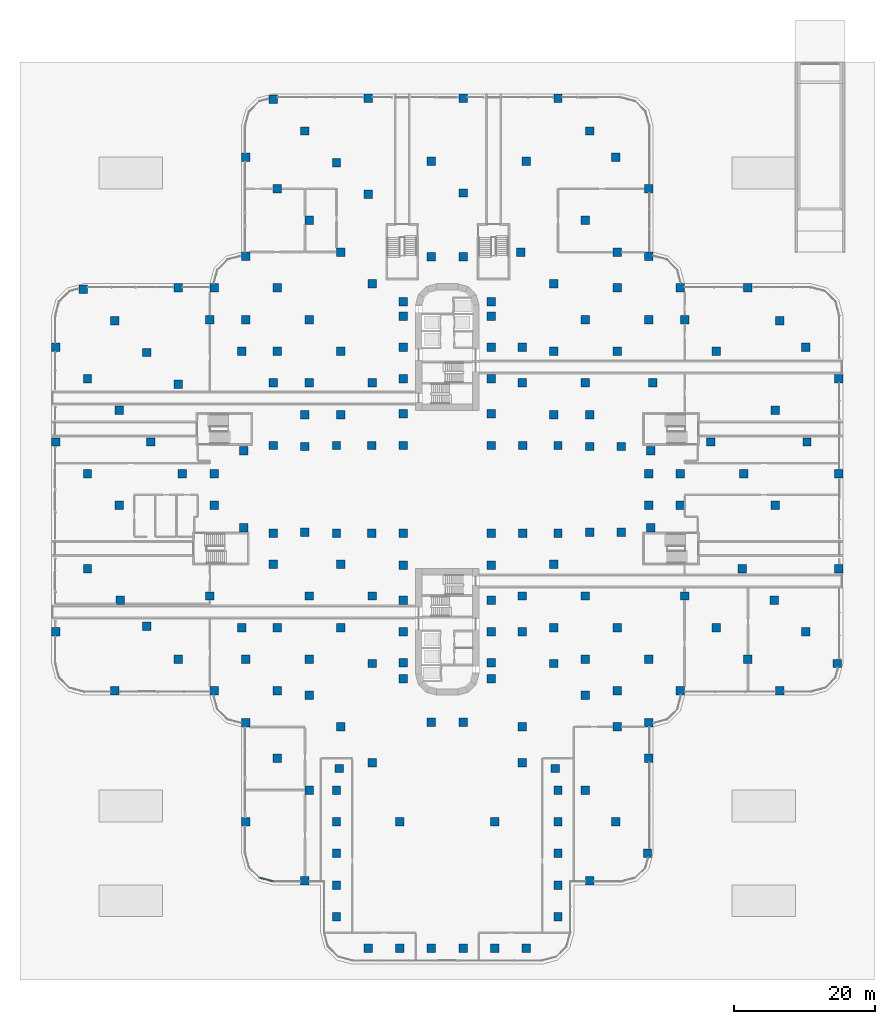
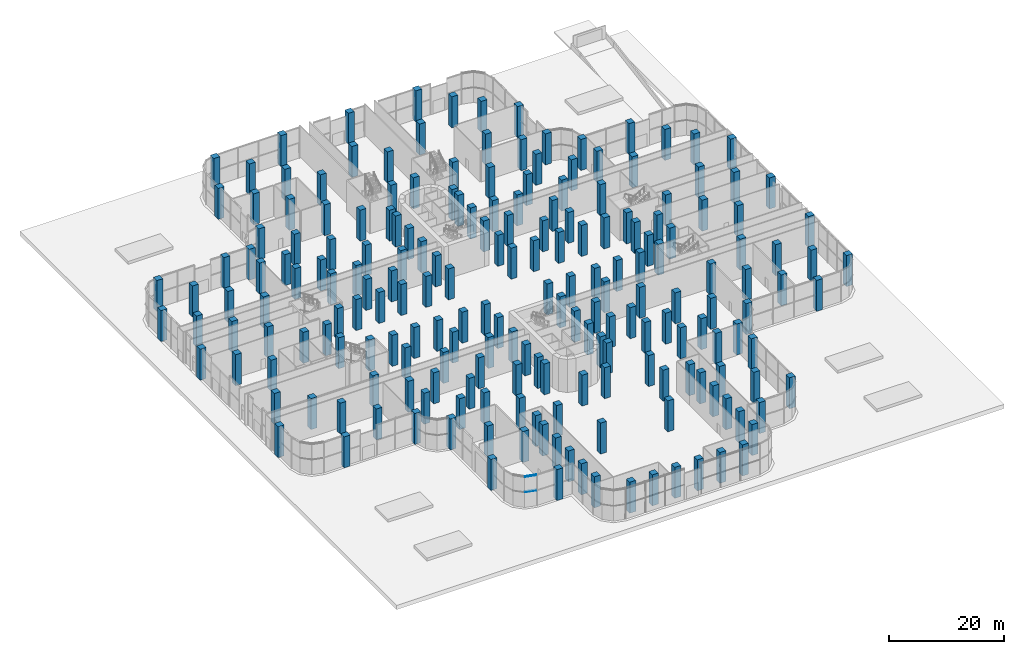
# One storey, part 1 of 34: 205 columns, 2 members, 1 element without a shape of its own.
"""IFC4 building model written with IfcOpenShell, lengths in metres."""

from ifc_helpers import new_model, si_unit, direction, frame, origin, origin_2d, place, context, subcontext, project, spatial, polyline, rectangle, outline, extrude, source, transform, mapped, material, material_profile, profile_set, type_object, element, aggregate, save


model = new_model("IFC4")

# Units and contexts
model_context = context("Model", 3, precision=1e-05, world=origin(), true_north=direction((0.0, 1.0)))
body_context = subcontext(model_context, "Body", "Model", "MODEL_VIEW")
ifc_project = project(units=[si_unit("LENGTHUNIT", "METRE"), si_unit("AREAUNIT", "SQUARE_METRE"), si_unit("VOLUMEUNIT", "CUBIC_METRE"), si_unit("PLANEANGLEUNIT", "RADIAN"), si_unit("MASSUNIT", "GRAM", prefix="KILO")], contexts=[model_context])

# Site, building, storey
site_placement = place(None, origin())
site = spatial("IfcSite", under=ifc_project, at=site_placement, CompositionType="ELEMENT")
building_placement = place(site_placement, origin())
building = spatial("IfcBuilding", under=site, at=building_placement, Name="Zarbagh Exchange Tower", CompositionType="ELEMENT")
storey_placement = place(building_placement, origin())
storey = spatial("IfcBuildingStorey", under=building, at=storey_placement, Name="L00", CompositionType="ELEMENT", Elevation=0.0)

# Columns
ifc_material_1 = material(Name="Concrete C60/75", Category="concrete")
ifc_material_profile = material_profile(ifc_material_1, rectangle(XDim=1.199951171875, YDim=1.199951171875, at=origin_2d()), Name="RC column 1200 x 1200 C60/75")
ifc_profile_set = profile_set([ifc_material_profile], Name="Concrete C60/75")
column_type = type_object("IfcColumnType", Name="RC column 1200 x 1200 C60/75", PredefinedType="COLUMN", material=ifc_profile_set)
for number, where, z_axis, x_axis, name in (
    (1, (-55.64990234375, -20.25, 0.0), (0.0, 0.0, 1.0), (1.0, 0.0, 0.0), "C1 5/N"),
    (2, (-55.64990234375, 6.75, 0.0), (0.0, 0.0, 1.0), (1.0, 0.0, 0.0), "C1 5/U"),
    (3, (-55.64990234375, 20.25, 0.0), (0.0, 0.0, 1.0), (1.0, 0.0, 0.0), "C1 5/X"),
    (4, (-51.14990234375, -11.25, 0.0), (0.0, 0.0, 1.0), (1.0, 0.0, 0.0), "C1 6/Q"),
    (5, (-51.14990234375, 2.25, 0.0), (0.0, 0.0, 1.0), (1.0, 0.0, 0.0), "C1 6/T"),
    (6, (-51.14990234375, 15.75, 0.0), (0.0, 0.0, 1.0), (1.0, 0.0, 0.0), "C1 6/W"),
    (7, (-51.75, 28.469970703125, 0.0), (0.0, 0.0, 1.0), (1.0, 0.0, 0.0), "C1 6/Z"),
    (8, (-47.25, -28.64990234375, 0.0), (0.0, 0.0, 1.0), (1.0, 0.0, 0.0), "C1 7/L"),
    (9, (-46.469970703125, -15.75, 0.0), (0.0, 0.0, 1.0), (1.0, 0.0, 0.0), "C1 7/P"),
    (10, (-46.64990234375, -2.25, 0.0), (0.0, 0.0, 1.0), (1.0, 0.0, 0.0), "C1 7/S"),
    (11, (-46.64990234375, 11.25, 0.0), (0.0, 0.0, 1.0), (1.0, 0.0, 0.0), "C1 7/V"),
    (12, (-47.25, 23.969970703125, 0.0), (0.0, 0.0, 1.0), (1.0, 0.0, 0.0), "C1 7/Y"),
    (13, (-42.75, -19.469970703125, 0.0), (0.0, 0.0, 1.0), (1.0, 0.0, 0.0), "C1 8/N"),
    (14, (-42.14990234375, 6.75, 0.0), (0.0, 0.0, 1.0), (1.0, 0.0, 0.0), "C1 8/U"),
    (15, (-42.75, 19.469970703125, 0.0), (0.0, 0.0, 1.0), (1.0, 0.0, 0.0), "C1 8/X"),
    (16, (-38.25, -24.14990234375, 0.0), (0.0, 0.0, 1.0), (1.0, 0.0, 0.0), "C1 9/M"),
    (17, (-37.64990234375, 2.25, 0.0), (0.0, 0.0, 1.0), (1.0, 0.0, 0.0), "C1 9/T"),
    (18, (-38.25, 14.969970703125, 0.0), (0.0, 0.0, 1.0), (1.0, 0.0, 0.0), "C1 9/W"),
    (19, (-38.25, 28.64990234375, 0.0), (0.0, 0.0, 1.0), (1.0, 0.0, 0.0), "C1 9/Z"),
    (20, (-33.14990234375, -28.64990234375, 0.0), (0.0, 0.0, 1.0), (1.0, 0.0, 0.0), "C1 10/L"),
    (21, (-33.75, -15.14990234375, 0.0), (0.0, 0.0, 1.0), (1.0, 0.0, 0.0), "C1 10/P"),
    (22, (-33.110107421875, -2.25, 0.0), (0.0, 0.0, 1.0), (1.0, 0.0, 0.0), "C1 10/S"),
    (23, (-33.110107421875, 2.25, 0.0), (0.0, 0.0, 1.0), (1.0, 0.0, 0.0), "C1 10/T"),
    (24, (-33.75, 24.14990234375, 0.0), (0.0, 0.0, 1.0), (1.0, 0.0, 0.0), "C1 10/Y"),
    (25, (-33.14990234375, 28.64990234375, 0.0), (0.0, 0.0, 1.0), (1.0, 0.0, 0.0), "C1 10/Z"),
    (26, (-28.64990234375, -47.25, 0.0), (0.0, 0.0, 1.0), (1.0, 0.0, 0.0), "C1 11/G"),
    (27, (-28.64990234375, -33.14990234375, 0.0), (0.0, 0.0, 1.0), (1.0, 0.0, 0.0), "C1 11/K"),
    (28, (-28.64990234375, -24.14990234375, 0.0), (0.0, 0.0, 1.0), (1.0, 0.0, 0.0), "C1 11/M"),
    (29, (-29.25, -19.64990234375, 0.0), (0.0, 0.0, 1.0), (1.0, 0.0, 0.0), "C1 11/N"),
    (30, (-28.907958984375, -5.47509765625, 0.0), (0.0, 0.0, 1.0), (1.0, 0.0, 0.0), "C1 11/R"),
    (31, (-28.907958984375, 5.47509765625, 0.0), (0.0, 0.0, 1.0), (1.0, 0.0, 0.0), "C1 11/U"),
    (32, (-29.25, 19.64990234375, 0.0), (0.0, 0.0, 1.0), (1.0, 0.0, 0.0), "C1 11/X"),
    (33, (-28.64990234375, 24.14990234375, 0.0), (0.0, 0.0, 1.0), (1.0, 0.0, 0.0), "C1 11/Y"),
    (34, (-28.64990234375, 33.14990234375, 0.0), (0.0, 0.0, 1.0), (1.0, 0.0, 0.0), "C1 11/AA"),
    (35, (-28.64990234375, 47.25, 0.0), (0.0, 0.0, 1.0), (1.0, 0.0, 0.0), "C1 11/AD"),
    (36, (-24.14990234375, -38.25, 0.0), (0.0, 0.0, 1.0), (1.0, 0.0, 0.0), "C1 12/J"),
    (37, (-24.14990234375, -28.64990234375, 0.0), (0.0, 0.0, 1.0), (1.0, 0.0, 0.0), "C1 12/L"),
    (38, (-24.14990234375, -19.64990234375, 0.0), (0.0, 0.0, 1.0), (1.0, 0.0, 0.0), "C1 12/N"),
    (39, (-24.75, -10.64990234375, 0.0), (0.0, 0.0, 1.0), (1.0, 0.0, 0.0), "C1 12/Q"),
    (40, (-24.75, -6.25, 0.0), (0.0, 0.0, 1.0), (1.0, 0.0, 0.0), "C1 12/R"),
    (41, (-24.75, 6.25, 0.0), (0.0, 0.0, 1.0), (1.0, 0.0, 0.0), "C1 12/U"),
    (42, (-24.75, 15.14990234375, 0.0), (0.0, 0.0, 1.0), (1.0, 0.0, 0.0), "C1 12/W"),
    (43, (-24.14990234375, 19.64990234375, 0.0), (0.0, 0.0, 1.0), (1.0, 0.0, 0.0), "C1 12/X"),
    (44, (-24.14990234375, 28.64990234375, 0.0), (0.0, 0.0, 1.0), (1.0, 0.0, 0.0), "C1 12/Z"),
    (45, (-24.14990234375, 42.75, 0.0), (0.0, 0.0, 1.0), (1.0, 0.0, 0.0), "C1 12/AC"),
    (46, (-24.75, 55.469970703125, 0.0), (0.0, 0.0, 1.0), (1.0, 0.0, 0.0), "C1 12/AF"),
    (47, (-20.25, -55.64990234375, 0.0), (0.0, 0.0, 1.0), (1.0, 0.0, 0.0), "C1 13/E"),
    (48, (-19.64990234375, -42.75, 0.0), (0.0, 0.0, 1.0), (1.0, 0.0, 0.0), "C1 13/H"),
    (49, (-19.64990234375, -29.25, 0.0), (0.0, 0.0, 1.0), (1.0, 0.0, 0.0), "C1 13/L"),
    (50, (-19.64990234375, -24.14990234375, 0.0), (0.0, 0.0, 1.0), (1.0, 0.0, 0.0), "C1 13/M"),
    (51, (-19.64990234375, -15.14990234375, 0.0), (0.0, 0.0, 1.0), (1.0, 0.0, 0.0), "C1 13/P"),
    (52, (-20.25, -6.110107421875, 0.0), (0.0, 0.0, 1.0), (1.0, 0.0, 0.0), "C1 13/R"),
    (53, (-20.25, 6.110107421875, 0.0), (0.0, 0.0, 1.0), (1.0, 0.0, 0.0), "C1 13/U"),
    (54, (-20.25, 10.64990234375, 0.0), (0.0, 0.0, 1.0), (1.0, 0.0, 0.0), "C1 13/V"),
    (55, (-19.64990234375, 15.14990234375, 0.0), (0.0, 0.0, 1.0), (1.0, 0.0, 0.0), "C1 13/W"),
    (56, (-19.64990234375, 24.14990234375, 0.0), (0.0, 0.0, 1.0), (1.0, 0.0, 0.0), "C1 13/Y"),
    (57, (-19.64990234375, 38.25, 0.0), (0.0, 0.0, 1.0), (1.0, 0.0, 0.0), "C1 13/AB"),
    (58, (-20.25, 50.969970703125, 0.0), (0.0, 0.0, 1.0), (1.0, 0.0, 0.0), "C1 13/AE"),
    (59, (-15.75, -60.75, 0.0), (0.0, 0.0, 1.0), (1.0, 0.0, 0.0), "C1 14/D"),
    (60, (-15.75, -56.25, 0.0), (0.0, 0.0, 1.0), (1.0, 0.0, 0.0), "C1 14/E"),
    (61, (-15.75, -51.75, 0.0), (0.0, 0.0, 1.0), (1.0, 0.0, 0.0), "C1 14/F"),
    (62, (-15.75, -47.25, 0.0), (0.0, 0.0, 1.0), (1.0, 0.0, 0.0), "C1 14/G"),
    (63, (-15.75, -42.75, 0.0), (0.0, 0.0, 1.0), (1.0, 0.0, 0.0), "C1 14/H"),
    (64, (-15.366943359375, -39.679931640625, 0.0), (0.0, 0.0, 1.0), (1.0, 0.0, 0.0), "C1 14/J"),
    (65, (-15.14990234375, -33.75, 0.0), (0.0, 0.0, 1.0), (1.0, 0.0, 0.0), "C1 14/K"),
    (66, (-15.14990234375, -19.64990234375, 0.0), (0.0, 0.0, 1.0), (1.0, 0.0, 0.0), "C1 14/N"),
    (67, (-15.14990234375, -10.64990234375, 0.0), (0.0, 0.0, 1.0), (1.0, 0.0, 0.0), "C1 14/Q"),
    (68, (-15.75, -6.25, 0.0), (0.0, 0.0, 1.0), (1.0, 0.0, 0.0), "C1 14/R"),
    (69, (-15.75, 6.25, 0.0), (0.0, 0.0, 1.0), (1.0, 0.0, 0.0), "C1 14/U"),
    (70, (-15.14990234375, 10.64990234375, 0.0), (0.0, 0.0, 1.0), (1.0, 0.0, 0.0), "C1 14/V"),
    (71, (-15.14990234375, 19.64990234375, 0.0), (0.0, 0.0, 1.0), (1.0, 0.0, 0.0), "C1 14/X"),
    (72, (-15.14990234375, 33.75, 0.0), (0.0, 0.0, 1.0), (1.0, 0.0, 0.0), "C1 14/AA"),
    (73, (-15.75, 46.469970703125, 0.0), (0.0, 0.0, 1.0), (1.0, 0.0, 0.0), "C1 14/AD"),
    (74, (-11.25, -65.25, 0.0), (0.0, 0.0, 1.0), (1.0, 0.0, 0.0), "C1 15/C"),
    (75, (-10.64990234375, -38.85009765625, 0.0), (0.0, 0.0, 1.0), (1.0, 0.0, 0.0), "C1 15/J"),
    (76, (-10.64990234375, -24.75, 0.0), (0.0, 0.0, 1.0), (1.0, 0.0, 0.0), "C1 15/M"),
    (77, (-10.64990234375, -15.14990234375, 0.0), (0.0, 0.0, 1.0), (1.0, 0.0, 0.0), "C1 15/P"),
    (78, (-10.75, -6.25, 0.0), (0.0, 0.0, 1.0), (1.0, 0.0, 0.0), "C1 15/R"),
    (79, (-10.75, 6.25, 0.0), (0.0, 0.0, 1.0), (1.0, 0.0, 0.0), "C1 15/U"),
    (80, (-10.64990234375, 15.14990234375, 0.0), (0.0, 0.0, 1.0), (1.0, 0.0, 0.0), "C1 15/W"),
    (81, (-10.64990234375, 29.25, 0.0), (0.0, 0.0, 1.0), (1.0, 0.0, 0.0), "C1 15/Z"),
    (82, (-11.25, 41.969970703125, 0.0), (0.0, 0.0, 1.0), (1.0, 0.0, 0.0), "C1 15/AC"),
    (83, (-11.25, 55.64990234375, 0.0), (0.0, 0.0, 1.0), (1.0, 0.0, 0.0), "C1 15/AF"),
    (84, (-6.75, -65.25, 0.0), (0.0, 0.0, 1.0), (1.0, 0.0, 0.0), "C1 16/C"),
    (85, (-6.75, -47.25, 0.0), (0.0, 0.0, 1.0), (1.0, 0.0, 0.0), "C1 16/G"),
    (86, (-6.25, -26.89990234375, 0.0), (0.0, 0.0, 1.0), (1.0, 0.0, 0.0), "C1 16/L"),
    (87, (-6.25, -24.64990234375, 0.0), (0.0, 0.0, 1.0), (1.0, 0.0, 0.0), "C1 16/M"),
    (88, (-6.25, -20.25, 0.0), (0.0, 0.0, 1.0), (1.0, 0.0, 0.0), "C1 16/N"),
    (89, (-6.25, -15.75, 0.0), (0.0, 0.0, 1.0), (1.0, 0.0, 0.0), "C1 16/P"),
    (90, (-6.25, -10.75, 0.0), (0.0, 0.0, 1.0), (1.0, 0.0, 0.0), "C1 16/Q"),
    (91, (-6.25, -6.25, 0.0), (0.0, 0.0, 1.0), (1.0, 0.0, 0.0), "C1 16/R"),
    (92, (-6.25, 6.25, 0.0), (0.0, 0.0, 1.0), (1.0, 0.0, 0.0), "C1 16/U"),
    (93, (-6.25, 10.75, 0.0), (0.0, 0.0, 1.0), (1.0, 0.0, 0.0), "C1 16/V"),
    (94, (-6.25, 15.75, 0.0), (0.0, 0.0, 1.0), (1.0, 0.0, 0.0), "C1 16/W"),
    (95, (-6.25, 20.25, 0.0), (0.0, 0.0, 1.0), (1.0, 0.0, 0.0), "C1 16/X"),
    (96, (-6.25, 24.64990234375, 0.0), (0.0, 0.0, 1.0), (1.0, 0.0, 0.0), "C1 16/Y"),
    (97, (-6.25, 26.699951171875, 0.0), (0.0, 0.0, 1.0), (1.0, 0.0, 0.0), "C1 16/Z"),
    (98, (-2.25, -65.25, 0.0), (0.0, 0.0, 1.0), (1.0, 0.0, 0.0), "C1 17/C"),
    (99, (-2.25, -33.110107421875, 0.0), (0.0, 0.0, 1.0), (1.0, 0.0, 0.0), "C1 17/K"),
    (100, (-2.25, 33.110107421875, 0.0), (0.0, 0.0, 1.0), (1.0, 0.0, 0.0), "C1 17/AA"),
    (101, (-2.25, 46.64990234375, 0.0), (0.0, 0.0, 1.0), (1.0, 0.0, 0.0), "C1 17/AD"),
    (102, (2.25, -65.25, 0.0), (0.0, 0.0, 1.0), (1.0, 0.0, 0.0), "C1 18/C"),
    (103, (2.25, -33.110107421875, 0.0), (0.0, 0.0, 1.0), (1.0, 0.0, 0.0), "C1 18/K"),
    (104, (2.25, 33.110107421875, 0.0), (0.0, 0.0, 1.0), (1.0, 0.0, 0.0), "C1 18/AA"),
    (105, (2.25, 42.14990234375, 0.0), (0.0, 0.0, 1.0), (1.0, 0.0, 0.0), "C1 18/AC"),
    (106, (2.25, 55.64990234375, 0.0), (0.0, 0.0, 1.0), (1.0, 0.0, 0.0), "C1 18/AF"),
    (107, (6.75, -65.25, 0.0), (0.0, 0.0, 1.0), (1.0, 0.0, 0.0), "C1 19/C"),
    (108, (6.75, -47.25, 0.0), (0.0, 0.0, 1.0), (1.0, 0.0, 0.0), "C1 19/G"),
    (109, (6.25, -26.89990234375, 0.0), (0.0, 0.0, 1.0), (1.0, 0.0, 0.0), "C1 19/L"),
    (110, (6.25, -24.64990234375, 0.0), (0.0, 0.0, 1.0), (1.0, 0.0, 0.0), "C1 19/M"),
    (111, (6.25, -20.25, 0.0), (0.0, 0.0, 1.0), (1.0, 0.0, 0.0), "C1 19/N"),
    (112, (6.25, -15.75, 0.0), (0.0, 0.0, 1.0), (1.0, 0.0, 0.0), "C1 19/P"),
    (113, (6.25, -10.75, 0.0), (0.0, 0.0, 1.0), (1.0, 0.0, 0.0), "C1 19/Q"),
    (114, (6.25, -6.25, 0.0), (0.0, 0.0, 1.0), (1.0, 0.0, 0.0), "C1 19/R"),
    (115, (6.25, 6.25, 0.0), (0.0, 0.0, 1.0), (1.0, 0.0, 0.0), "C1 19/U"),
    (116, (6.25, 10.75, 0.0), (0.0, 0.0, 1.0), (1.0, 0.0, 0.0), "C1 19/V"),
    (117, (6.25, 15.75, 0.0), (0.0, 0.0, 1.0), (1.0, 0.0, 0.0), "C1 19/W"),
    (118, (6.25, 20.25, 0.0), (0.0, 0.0, 1.0), (1.0, 0.0, 0.0), "C1 19/X"),
    (119, (6.25, 24.64990234375, 0.0), (0.0, 0.0, 1.0), (1.0, 0.0, 0.0), "C1 19/Y"),
    (120, (6.25, 26.699951171875, 0.0), (0.0, 0.0, 1.0), (1.0, 0.0, 0.0), "C1 19/Z"),
    (121, (11.25, -65.25, 0.0), (0.0, 0.0, 1.0), (1.0, 0.0, 0.0), "C1 20/C"),
    (122, (10.64990234375, -38.85009765625, 0.0), (0.0, 0.0, 1.0), (1.0, 0.0, 0.0), "C1 20/J"),
    (123, (10.64990234375, -33.75, 0.0), (0.0, 0.0, 1.0), (1.0, 0.0, 0.0), "C1 20/K"),
    (124, (10.64990234375, -20.25, 0.0), (0.0, 0.0, 1.0), (1.0, 0.0, 0.0), "C1 20/N"),
    (125, (10.64990234375, -15.14990234375, 0.0), (0.0, 0.0, 1.0), (1.0, 0.0, 0.0), "C1 20/P"),
    (126, (10.75, -6.25, 0.0), (0.0, 0.0, 1.0), (1.0, 0.0, 0.0), "C1 20/R"),
    (127, (10.75, 6.25, 0.0), (0.0, 0.0, 1.0), (1.0, 0.0, 0.0), "C1 20/U"),
    (128, (10.64990234375, 15.14990234375, 0.0), (0.0, 0.0, 1.0), (1.0, 0.0, 0.0), "C1 20/W"),
    (129, (10.64990234375, 20.25, 0.0), (0.0, 0.0, 1.0), (1.0, 0.0, 0.0), "C1 20/X"),
    (130, (10.469970703125, 33.75, 0.0), (0.0, 0.0, 1.0), (1.0, 0.0, 0.0), "C1 20/AA"),
    (131, (11.25, 46.64990234375, 0.0), (0.0, 0.0, 1.0), (1.0, 0.0, 0.0), "C1 20/AD"),
    (132, (15.75, -60.75, 0.0), (0.0, 0.0, 1.0), (1.0, 0.0, 0.0), "C1 21/D"),
    (133, (15.75, -56.25, 0.0), (0.0, 0.0, 1.0), (1.0, 0.0, 0.0), "C1 21/E"),
    (134, (15.75, -51.75, 0.0), (0.0, 0.0, 1.0), (1.0, 0.0, 0.0), "C1 21/F"),
    (135, (15.75, -47.25, 0.0), (0.0, 0.0, 1.0), (1.0, 0.0, 0.0), "C1 21/G"),
    (136, (15.75, -42.75, 0.0), (0.0, 0.0, 1.0), (1.0, 0.0, 0.0), "C1 21/H"),
    (137, (15.366943359375, -39.679931640625, 0.0), (0.0, 0.0, 1.0), (1.0, 0.0, 0.0), "C1 21/J"),
    (138, (15.14990234375, -24.75, 0.0), (0.0, 0.0, 1.0), (1.0, 0.0, 0.0), "C1 21/M"),
    (139, (15.14990234375, -19.64990234375, 0.0), (0.0, 0.0, 1.0), (1.0, 0.0, 0.0), "C1 21/N"),
    (140, (15.14990234375, -10.64990234375, 0.0), (0.0, 0.0, 1.0), (1.0, 0.0, 0.0), "C1 21/Q"),
    (141, (15.75, -6.25, 0.0), (0.0, 0.0, 1.0), (1.0, 0.0, 0.0), "C1 21/R"),
    (142, (15.75, 6.25, 0.0), (0.0, 0.0, 1.0), (1.0, 0.0, 0.0), "C1 21/U"),
    (143, (15.14990234375, 10.64990234375, 0.0), (0.0, 0.0, 1.0), (1.0, 0.0, 0.0), "C1 21/V"),
    (144, (15.14990234375, 19.64990234375, 0.0), (0.0, 0.0, 1.0), (1.0, 0.0, 0.0), "C1 21/X"),
    (145, (15.14990234375, 29.25, 0.0), (0.0, 0.0, 1.0), (1.0, 0.0, 0.0), "C1 21/Z"),
    (146, (15.75, 55.64990234375, 0.0), (0.0, 0.0, 1.0), (1.0, 0.0, 0.0), "C1 21/AF"),
    (147, (20.25, -55.64990234375, 0.0), (0.0, 0.0, 1.0), (1.0, 0.0, 0.0), "C1 22/E"),
    (148, (19.64990234375, -42.75, 0.0), (0.0, 0.0, 1.0), (1.0, 0.0, 0.0), "C1 22/H"),
    (149, (19.64990234375, -29.25, 0.0), (0.0, 0.0, 1.0), (1.0, 0.0, 0.0), "C1 22/L"),
    (150, (19.64990234375, -24.14990234375, 0.0), (0.0, 0.0, 1.0), (1.0, 0.0, 0.0), "C1 22/M"),
    (151, (19.64990234375, -15.14990234375, 0.0), (0.0, 0.0, 1.0), (1.0, 0.0, 0.0), "C1 22/P"),
    (152, (20.25, -6.110107421875, 0.0), (0.0, 0.0, 1.0), (1.0, 0.0, 0.0), "C1 22/R"),
    (153, (20.25, 6.110107421875, 0.0), (0.0, 0.0, 1.0), (1.0, 0.0, 0.0), "C1 22/U"),
    (154, (20.25, 10.64990234375, 0.0), (0.0, 0.0, 1.0), (1.0, 0.0, 0.0), "C1 22/V"),
    (155, (19.64990234375, 15.14990234375, 0.0), (0.0, 0.0, 1.0), (1.0, 0.0, 0.0), "C1 22/W"),
    (156, (19.64990234375, 24.14990234375, 0.0), (0.0, 0.0, 1.0), (1.0, 0.0, 0.0), "C1 22/Y"),
    (157, (19.64990234375, 38.25, 0.0), (0.0, 0.0, 1.0), (1.0, 0.0, 0.0), "C1 22/AB"),
    (158, (20.25, 50.969970703125, 0.0), (0.0, 0.0, 1.0), (1.0, 0.0, 0.0), "C1 22/AE"),
    (159, (23.969970703125, -47.25, 0.0), (0.0, 0.0, 1.0), (1.0, 0.0, 0.0), "C1 23/G"),
    (160, (24.14990234375, -33.75, 0.0), (0.0, 0.0, 1.0), (1.0, 0.0, 0.0), "C1 23/K"),
    (161, (24.14990234375, -28.64990234375, 0.0), (0.0, 0.0, 1.0), (1.0, 0.0, 0.0), "C1 23/L"),
    (162, (24.14990234375, -19.64990234375, 0.0), (0.0, 0.0, 1.0), (1.0, 0.0, 0.0), "C1 23/N"),
    (163, (24.75, -6.110107421875, 0.0), (0.0, 0.0, 1.0), (1.0, 0.0, 0.0), "C1 23/R"),
    (164, (24.75, 6.110107421875, 0.0), (0.0, 0.0, 1.0), (1.0, 0.0, 0.0), "C1 23/U"),
    (165, (24.14990234375, 19.64990234375, 0.0), (0.0, 0.0, 1.0), (1.0, 0.0, 0.0), "C1 23/X"),
    (166, (24.14990234375, 28.64990234375, 0.0), (0.0, 0.0, 1.0), (1.0, 0.0, 0.0), "C1 23/Z"),
    (167, (24.14990234375, 33.75, 0.0), (0.0, 0.0, 1.0), (1.0, 0.0, 0.0), "C1 23/AA"),
    (168, (23.969970703125, 47.25, 0.0), (0.0, 0.0, 1.0), (1.0, 0.0, 0.0), "C1 23/AD"),
    (169, (28.469970703125, -51.75, 0.0), (0.0, 0.0, 1.0), (1.0, 0.0, 0.0), "C1 24/F"),
    (170, (28.64990234375, -38.25, 0.0), (0.0, 0.0, 1.0), (1.0, 0.0, 0.0), "C1 24/J"),
    (171, (28.64990234375, -33.14990234375, 0.0), (0.0, 0.0, 1.0), (1.0, 0.0, 0.0), "C1 24/K"),
    (172, (28.64990234375, -24.14990234375, 0.0), (0.0, 0.0, 1.0), (1.0, 0.0, 0.0), "C1 24/M"),
    (173, (28.907958984375, -5.47509765625, 0.0), (0.0, 0.0, 1.0), (1.0, 0.0, 0.0), "C1 24/R"),
    (174, (28.669921875, -2.25, 0.0), (0.0, 0.0, 1.0), (1.0, 0.0, 0.0), "C1 24/S"),
    (175, (28.669921875, 2.25, 0.0), (0.0, 0.0, 1.0), (1.0, 0.0, 0.0), "C1 24/T"),
    (176, (28.907958984375, 5.47509765625, 0.0), (0.0, 0.0, 1.0), (1.0, 0.0, 0.0), "C1 24/U"),
    (177, (29.25, 15.14990234375, 0.0), (0.0, 0.0, 1.0), (1.0, 0.0, 0.0), "C1 24/W"),
    (178, (28.64990234375, 24.14990234375, 0.0), (0.0, 0.0, 1.0), (1.0, 0.0, 0.0), "C1 24/Y"),
    (179, (28.64990234375, 33.14990234375, 0.0), (0.0, 0.0, 1.0), (1.0, 0.0, 0.0), "C1 24/AA"),
    (180, (28.64990234375, 42.75, 0.0), (0.0, 0.0, 1.0), (1.0, 0.0, 0.0), "C1 24/AC"),
    (181, (33.14990234375, -28.64990234375, 0.0), (0.0, 0.0, 1.0), (1.0, 0.0, 0.0), "C1 25/L"),
    (182, (33.75, -15.14990234375, 0.0), (0.0, 0.0, 1.0), (1.0, 0.0, 0.0), "C1 25/P"),
    (183, (33.110107421875, -2.25, 0.0), (0.0, 0.0, 1.0), (1.0, 0.0, 0.0), "C1 25/S"),
    (184, (33.110107421875, 2.25, 0.0), (0.0, 0.0, 1.0), (1.0, 0.0, 0.0), "C1 25/T"),
    (185, (33.75, 24.14990234375, 0.0), (0.0, 0.0, 1.0), (1.0, 0.0, 0.0), "C1 25/Y"),
    (186, (33.14990234375, 28.64990234375, 0.0), (0.0, 0.0, 1.0), (1.0, 0.0, 0.0), "C1 25/Z"),
    (187, (38.25, -19.64990234375, 0.0), (0.0, 0.0, 1.0), (1.0, 0.0, 0.0), "C1 26/N"),
    (188, (37.469970703125, 6.75, 0.0), (0.0, 0.0, 1.0), (1.0, 0.0, 0.0), "C1 26/U"),
    (189, (38.25, 19.64990234375, 0.0), (0.0, 0.0, 1.0), (1.0, 0.0, 0.0), "C1 26/X"),
    (190, (42.75, -24.14990234375, 0.0), (0.0, 0.0, 1.0), (1.0, 0.0, 0.0), "C1 27/M"),
    (191, (41.969970703125, -11.25, 0.0), (0.0, 0.0, 1.0), (1.0, 0.0, 0.0), "C1 27/Q"),
    (192, (42.14990234375, 2.25, 0.0), (0.0, 0.0, 1.0), (1.0, 0.0, 0.0), "C1 27/T"),
    (193, (42.75, 28.64990234375, 0.0), (0.0, 0.0, 1.0), (1.0, 0.0, 0.0), "C1 27/Z"),
    (194, (47.25, -28.64990234375, 0.0), (0.0, 0.0, 1.0), (1.0, 0.0, 0.0), "C1 28/L"),
    (195, (46.469970703125, -15.75, 0.0), (0.0, 0.0, 1.0), (1.0, 0.0, 0.0), "C1 28/P"),
    (196, (46.64990234375, -2.25, 0.0), (0.0, 0.0, 1.0), (1.0, 0.0, 0.0), "C1 28/S"),
    (197, (46.64990234375, 11.25, 0.0), (0.0, 0.0, 1.0), (1.0, 0.0, 0.0), "C1 28/V"),
    (198, (47.25, 23.969970703125, 0.0), (0.0, 0.0, 1.0), (1.0, 0.0, 0.0), "C1 28/Y"),
    (199, (50.969970703125, -20.25, 0.0), (0.0, 0.0, 1.0), (1.0, 0.0, 0.0), "C1 29/N"),
    (200, (51.14990234375, 6.75, 0.0), (0.0, 0.0, 1.0), (1.0, 0.0, 0.0), "C1 29/U"),
    (201, (50.969970703125, 20.25, 0.0), (0.0, 0.0, 1.0), (1.0, 0.0, 0.0), "C1 29/X"),
    (202, (55.469970703125, -24.75, 0.0), (0.0, 0.0, 1.0), (1.0, 0.0, 0.0), "C1 30/M"),
    (203, (55.64990234375, -11.25, 0.0), (0.0, 0.0, 1.0), (1.0, 0.0, 0.0), "C1 30/Q"),
    (204, (55.64990234375, 2.25, 0.0), (0.0, 0.0, 1.0), (1.0, 0.0, 0.0), "C1 30/T"),
    (205, (55.64990234375, 15.75, 0.0), (0.0, 0.0, 1.0), (1.0, 0.0, 0.0), "C1 30/W"),
):
    element("IfcColumn", number, at=place(storey_placement, frame(where, z_axis=z_axis, x_axis=x_axis)), inside=storey, type_object=column_type, Name=name, PredefinedType="COLUMN", context=body_context, shape_type="SweptSolid", body=[
        extrude(rectangle(XDim=1.199951171875, YDim=1.199951171875, at=origin_2d()), origin(), (0.0, 0.0, 1.0), 6.550048828125),
    ])

# Curtain wall, members
ifc_material_2 = material(Name="Anodised aluminium frame and glazing", Category="aluminium")
curtain_wall_type = type_object("IfcCurtainWallType", Name="CWC Podium garden-wall glazing", PredefinedType="NOTDEFINED", material=ifc_material_2)
curtain_wall_placement = place(storey_placement, origin())
curtain_wall = element("IfcCurtainWall", 206, at=curtain_wall_placement, inside=storey, type_object=curtain_wall_type, Name="CWC48 curtain wall", PredefinedType="NOTDEFINED")
ifc_material_3 = material(Name="Anodised aluminium frame", Category="aluminium")
member_type = type_object("IfcMemberType", Name="TRC Transom, anodised aluminium frame", PredefinedType="USERDEFINED", material=ifc_material_3)
shared_shape_1 = source(origin(), body_context, "Body", "SweptSolid", [
    extrude(outline(polyline([(-0.080078125, -0.090087890625), (0.0, -0.090087890625), (0.0, 0.090087890625), (-0.080078125, 0.090087890625), (-0.080078125, -0.090087890625)])), origin(), (0.0, 0.0, 1.0), 2.049560546875),
])
placement = place(storey_placement, origin())
member_1 = element("IfcMember", 207, at=placement, type_object=member_type, Name="CWC48 transom 1.1", ObjectType="TRANSOM", PredefinedType="USERDEFINED", context=body_context, shape_type="MappedRepresentation", body=[
    mapped(shared_shape_1, transform((-26.70263671875, -55.209228515625, 6.550048828125), x_axis=(0.0, 0.0, 1.0), y_axis=(-0.258824779902, -0.965924289636, 0.0), z_axis=(0.965924289636, -0.258824779902, 0.0))),
])
shared_shape_2 = source(origin(), body_context, "Body", "SweptSolid", [
    extrude(outline(polyline([(-0.0400390625, -0.090087890625), (0.0400390625, -0.090087890625), (0.0400390625, 0.090087890625), (-0.0400390625, 0.090087890625), (-0.0400390625, -0.090087890625)])), origin(), (0.0, 0.0, 1.0), 2.049560546875),
])
member_2 = element("IfcMember", 208, at=placement, type_object=member_type, Name="CWC48 mid transom 1", ObjectType="TRANSOM", PredefinedType="USERDEFINED", context=body_context, shape_type="MappedRepresentation", body=[
    mapped(shared_shape_2, transform((-26.70263671875, -55.209228515625, 3.27490234375), x_axis=(0.0, 0.0, 1.0), y_axis=(-0.258824779902, -0.965924289636, 0.0), z_axis=(0.965924289636, -0.258824779902, 0.0))),
])
aggregate(curtain_wall, [member_1, member_2])

save(model, "model.ifc")
